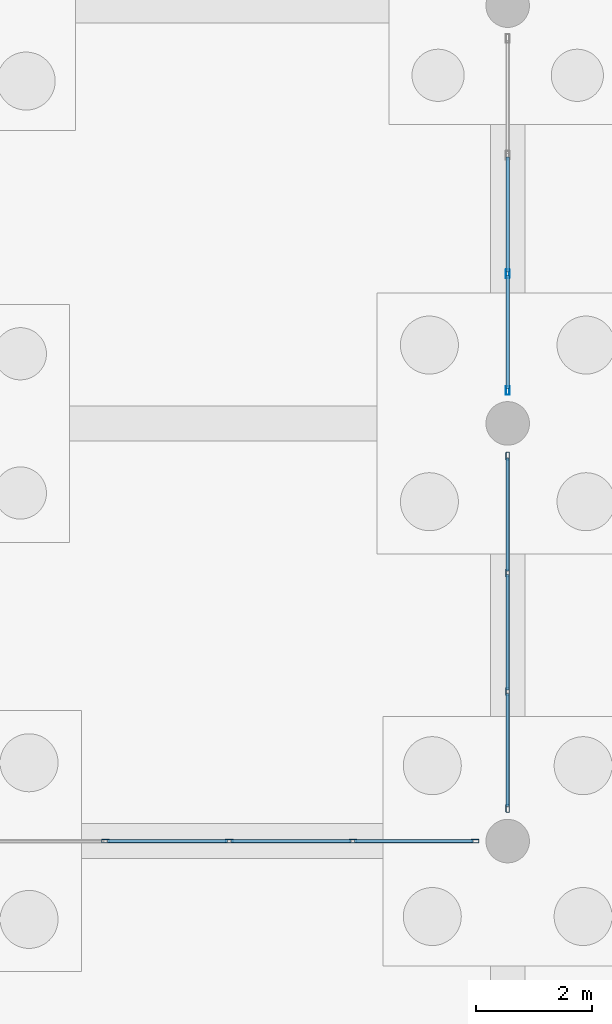
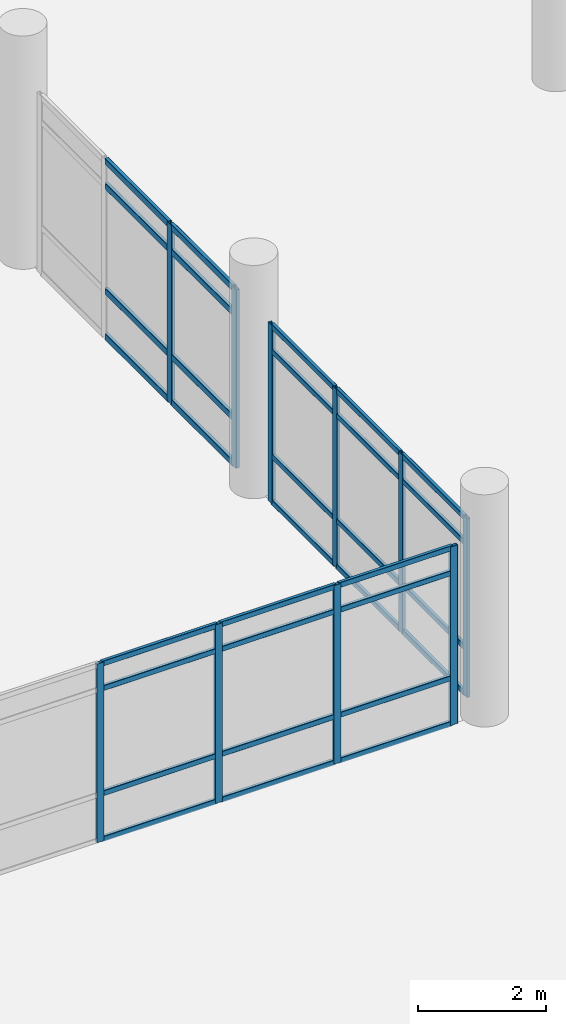
# One storey, part 126 of 196: 42 members, 3 elements without a shape of their own.
"""IFC4 building model written with IfcOpenShell, lengths in metres."""

from ifc_helpers import new_model, si_unit, direction, frame, origin, origin_2d, place, context, subcontext, project, spatial, hollow_rectangle, extrude, material, layer, layer_set, material_profile, profile_set, type_object, element, aggregate, save


model = new_model("IFC4")

# Units and contexts
model_context = context("Model", 3, precision=1e-05, world=origin(), true_north=direction((0.0, 1.0)))
body_context = subcontext(model_context, "Body", "Model", "MODEL_VIEW")
ifc_project = project(units=[si_unit("LENGTHUNIT", "METRE"), si_unit("AREAUNIT", "SQUARE_METRE"), si_unit("VOLUMEUNIT", "CUBIC_METRE"), si_unit("PLANEANGLEUNIT", "RADIAN"), si_unit("MASSUNIT", "GRAM", prefix="KILO")], contexts=[model_context])

# Site, building, storey
site_placement = place(None, origin())
site = spatial("IfcSite", under=ifc_project, at=site_placement, CompositionType="ELEMENT")
building_placement = place(site_placement, origin())
building = spatial("IfcBuilding", under=site, at=building_placement, Name="Asteropetra Specialist Clinic", CompositionType="ELEMENT")
storey_placement = place(building_placement, origin())
storey = spatial("IfcBuildingStorey", under=building, at=storey_placement, Name="L00", CompositionType="ELEMENT", Elevation=0.0)

# Curtain wall, members
ifc_material_1 = material(Name="Aluminium and low-E glass", Category="aluminium")
ifc_layer_1 = layer(ifc_material_1, 0.14990234375)
ifc_layer_set_1 = layer_set([ifc_layer_1], Name="Aluminium and low-E glass")
curtain_wall_type_1 = type_object("IfcCurtainWallType", Name="CW-SYS-08", PredefinedType="USERDEFINED", material=ifc_layer_set_1)
curtain_wall_1_placement = place(storey_placement, origin())
curtain_wall_1 = element("IfcCurtainWall", 1, at=curtain_wall_1_placement, inside=storey, type_object=curtain_wall_type_1, Name="Curtain Wall CW-065", ObjectType="STICK GLAZED COLONNADE", PredefinedType="USERDEFINED")
ifc_material_2 = material(Name="Aluminium 6063-T6", Category="aluminium")
ifc_material_profile_1 = material_profile(ifc_material_2, hollow_rectangle(XDim=0.06005859375, YDim=0.135009765625, WallThickness=0.00341796875, InnerFilletRadius=0.00341796875, OuterFilletRadius=0.007080078125, at=origin_2d()), Name="MUL 135x60x3.5")
ifc_profile_set_1 = profile_set([ifc_material_profile_1], Name="Aluminium 6063-T6")
member_type_1 = type_object("IfcMemberType", Name="CWM-135x60", PredefinedType="MULLION", material=ifc_profile_set_1)
member_1_placement = place(storey_placement, frame((127.467529296875, 19.199951171875, 0.0), z_axis=(0.0, 0.0, 1.0), x_axis=(0.0, 1.0, 0.0)))
member_1 = element("IfcMember", 2, at=member_1_placement, type_object=member_type_1, Name="CW-065 mullion 2", PredefinedType="MULLION", context=body_context, shape_type="SweptSolid", body=[
    extrude(hollow_rectangle(XDim=0.06005859375, YDim=0.135009765625, WallThickness=0.00341796875, InnerFilletRadius=0.00341796875, OuterFilletRadius=0.007080078125, at=origin_2d()), origin(), (0.0, 0.0, 1.0), 3.39990234375),
])
member_2_placement = place(storey_placement, frame((129.60009765625, 19.199951171875, 0.0), z_axis=(0.0, 0.0, 1.0), x_axis=(0.0, 1.0, 0.0)))
member_2 = element("IfcMember", 3, at=member_2_placement, type_object=member_type_1, Name="CW-065 mullion 3", PredefinedType="MULLION", context=body_context, shape_type="SweptSolid", body=[
    extrude(hollow_rectangle(XDim=0.06005859375, YDim=0.135009765625, WallThickness=0.00341796875, InnerFilletRadius=0.00341796875, OuterFilletRadius=0.007080078125, at=origin_2d()), origin(), (0.0, 0.0, 1.0), 3.39990234375),
])
member_3_placement = place(storey_placement, frame((131.732421875, 19.199951171875, 0.0), z_axis=(0.0, 0.0, 1.0), x_axis=(0.0, 1.0, 0.0)))
member_3 = element("IfcMember", 4, at=member_3_placement, type_object=member_type_1, Name="CW-065 mullion 4", PredefinedType="MULLION", context=body_context, shape_type="SweptSolid", body=[
    extrude(hollow_rectangle(XDim=0.06005859375, YDim=0.135009765625, WallThickness=0.00341796875, InnerFilletRadius=0.00341796875, OuterFilletRadius=0.007080078125, at=origin_2d()), origin(), (0.0, 0.0, 1.0), 3.39990234375),
])
member_4_placement = place(storey_placement, frame((133.8349609375, 19.199951171875, 0.0), z_axis=(0.0, 0.0, 1.0), x_axis=(0.0, 1.0, 0.0)))
member_4 = element("IfcMember", 5, at=member_4_placement, type_object=member_type_1, Name="CW-065 mullion 5", PredefinedType="MULLION", context=body_context, shape_type="SweptSolid", body=[
    extrude(hollow_rectangle(XDim=0.06005859375, YDim=0.135009765625, WallThickness=0.00341796875, InnerFilletRadius=0.00341796875, OuterFilletRadius=0.007080078125, at=origin_2d()), origin(), (0.0, 0.0, 1.0), 3.39990234375),
])

ifc_material_3 = material(Name="Aluminium and low-E glass", Category="aluminium")
ifc_layer_2 = layer(ifc_material_3, 0.14990234375)
ifc_layer_set_2 = layer_set([ifc_layer_2], Name="Aluminium and low-E glass")
curtain_wall_type_2 = type_object("IfcCurtainWallType", Name="CW-SYS-11", PredefinedType="USERDEFINED", material=ifc_layer_set_2)
curtain_wall_2_placement = place(storey_placement, origin())
curtain_wall_2 = element("IfcCurtainWall", 6, at=curtain_wall_2_placement, inside=storey, type_object=curtain_wall_type_2, Name="Curtain Wall CW-068", ObjectType="STICK GLAZED COLONNADE", PredefinedType="USERDEFINED")
member_5_placement = place(storey_placement, frame((134.39990234375, 19.764892578125, 0.0), z_axis=(0.0, 0.0, 1.0), x_axis=(-1.0, 0.0, 0.0)))
member_5 = element("IfcMember", 7, at=member_5_placement, type_object=member_type_1, Name="CW-068 mullion 1", PredefinedType="MULLION", context=body_context, shape_type="SweptSolid", body=[
    extrude(hollow_rectangle(XDim=0.06005859375, YDim=0.135009765625, WallThickness=0.00341796875, InnerFilletRadius=0.00341796875, OuterFilletRadius=0.007080078125, at=origin_2d()), origin(), (0.0, 0.0, 1.0), 3.39990234375),
])
member_6_placement = place(storey_placement, frame((134.39990234375, 21.7783203125, 0.0), z_axis=(0.0, 0.0, 1.0), x_axis=(-1.0, 0.0, 0.0)))
member_6 = element("IfcMember", 8, at=member_6_placement, type_object=member_type_1, Name="CW-068 mullion 2", PredefinedType="MULLION", context=body_context, shape_type="SweptSolid", body=[
    extrude(hollow_rectangle(XDim=0.06005859375, YDim=0.135009765625, WallThickness=0.00341796875, InnerFilletRadius=0.00341796875, OuterFilletRadius=0.007080078125, at=origin_2d()), origin(), (0.0, 0.0, 1.0), 3.39990234375),
])
member_7_placement = place(storey_placement, frame((134.39990234375, 23.82177734375, 0.0), z_axis=(0.0, 0.0, 1.0), x_axis=(-1.0, 0.0, 0.0)))
member_7 = element("IfcMember", 9, at=member_7_placement, type_object=member_type_1, Name="CW-068 mullion 3", PredefinedType="MULLION", context=body_context, shape_type="SweptSolid", body=[
    extrude(hollow_rectangle(XDim=0.06005859375, YDim=0.135009765625, WallThickness=0.00341796875, InnerFilletRadius=0.00341796875, OuterFilletRadius=0.007080078125, at=origin_2d()), origin(), (0.0, 0.0, 1.0), 3.39990234375),
])
member_8_placement = place(storey_placement, frame((134.39990234375, 25.8349609375, 0.0), z_axis=(0.0, 0.0, 1.0), x_axis=(-1.0, 0.0, 0.0)))
member_8 = element("IfcMember", 10, at=member_8_placement, type_object=member_type_1, Name="CW-068 mullion 4", PredefinedType="MULLION", context=body_context, shape_type="SweptSolid", body=[
    extrude(hollow_rectangle(XDim=0.06005859375, YDim=0.135009765625, WallThickness=0.00341796875, InnerFilletRadius=0.00341796875, OuterFilletRadius=0.007080078125, at=origin_2d()), origin(), (0.0, 0.0, 1.0), 3.39990234375),
])

ifc_material_4 = material(Name="Aluminium and low-E glass", Category="aluminium")
ifc_layer_3 = layer(ifc_material_4, 0.135009765625)
ifc_layer_set_3 = layer_set([ifc_layer_3], Name="Aluminium and low-E glass")
curtain_wall_type_3 = type_object("IfcCurtainWallType", Name="CW-SYS-12", PredefinedType="USERDEFINED", material=ifc_layer_set_3)
curtain_wall_3_placement = place(storey_placement, origin())
curtain_wall_3 = element("IfcCurtainWall", 11, at=curtain_wall_3_placement, inside=storey, type_object=curtain_wall_type_3, Name="Curtain Wall CW-070", ObjectType="STICK GLAZED COLONNADE", PredefinedType="USERDEFINED")
ifc_material_5 = material(Name="Aluminium 6063-T6", Category="aluminium")
ifc_material_profile_2 = material_profile(ifc_material_5, hollow_rectangle(XDim=0.06494140625, YDim=0.14990234375, WallThickness=0.00390625, InnerFilletRadius=0.00390625, OuterFilletRadius=0.008056640625, at=origin_2d()), Name="MUL 150x65x4.0")
ifc_profile_set_2 = profile_set([ifc_material_profile_2], Name="Aluminium 6063-T6")
member_type_2 = type_object("IfcMemberType", Name="CWM-150x65", PredefinedType="MULLION", material=ifc_profile_set_2)
member_9_placement = place(storey_placement, frame((134.39990234375, 26.967529296875, 0.0), z_axis=(0.0, 0.0, 1.0), x_axis=(-1.0, 0.0, 0.0)))
member_9 = element("IfcMember", 12, at=member_9_placement, type_object=member_type_2, Name="CW-070 mullion 1", PredefinedType="MULLION", context=body_context, shape_type="SweptSolid", body=[
    extrude(hollow_rectangle(XDim=0.06494140625, YDim=0.14990234375, WallThickness=0.00390625, InnerFilletRadius=0.00390625, OuterFilletRadius=0.008056640625, at=origin_2d()), origin(), (0.0, 0.0, 1.0), 3.39990234375),
])
member_10_placement = place(storey_placement, frame((134.39990234375, 28.978271484375, 0.0), z_axis=(0.0, 0.0, 1.0), x_axis=(-1.0, 0.0, 0.0)))
member_10 = element("IfcMember", 13, at=member_10_placement, type_object=member_type_2, Name="CW-070 mullion 2", PredefinedType="MULLION", context=body_context, shape_type="SweptSolid", body=[
    extrude(hollow_rectangle(XDim=0.06494140625, YDim=0.14990234375, WallThickness=0.00390625, InnerFilletRadius=0.00390625, OuterFilletRadius=0.008056640625, at=origin_2d()), origin(), (0.0, 0.0, 1.0), 3.39990234375),
])

# Member
ifc_material_6 = material(Name="Aluminium 6063-T6", Category="aluminium")
ifc_material_profile_3 = material_profile(ifc_material_6, hollow_rectangle(XDim=0.06005859375, YDim=0.10009765625, WallThickness=0.00341796875, InnerFilletRadius=0.00341796875, OuterFilletRadius=0.007080078125, at=origin_2d()), Name="TRN 100x60x3.5")
ifc_profile_set_3 = profile_set([ifc_material_profile_3], Name="Aluminium 6063-T6")
member_type_3 = type_object("IfcMemberType", Name="CWT-100x60", PredefinedType="USERDEFINED", material=ifc_profile_set_3)
member_11_placement = place(storey_placement, frame((127.49755859375, 19.199951171875, 0.030029296875), z_axis=(1.0, 0.0, 0.0), x_axis=(0.0, 1.0, 0.0)))
member_11 = element("IfcMember", 14, at=member_11_placement, type_object=member_type_3, Name="CW-065 transom 2.1", ObjectType="TRANSOM", PredefinedType="USERDEFINED", context=body_context, shape_type="SweptSolid", body=[
    extrude(hollow_rectangle(XDim=0.06005859375, YDim=0.10009765625, WallThickness=0.00341796875, InnerFilletRadius=0.00341796875, OuterFilletRadius=0.007080078125, at=origin_2d()), origin(), (0.0, 0.0, 1.0), 2.072509765625),
])

member_12_placement = place(storey_placement, frame((127.49755859375, 19.199951171875, 0.89990234375), z_axis=(1.0, 0.0, 0.0), x_axis=(0.0, 1.0, 0.0)))
member_12 = element("IfcMember", 15, at=member_12_placement, type_object=member_type_3, Name="CW-065 transom 2.2", ObjectType="TRANSOM", PredefinedType="USERDEFINED", context=body_context, shape_type="SweptSolid", body=[
    extrude(hollow_rectangle(XDim=0.06005859375, YDim=0.10009765625, WallThickness=0.00341796875, InnerFilletRadius=0.00341796875, OuterFilletRadius=0.007080078125, at=origin_2d()), origin(), (0.0, 0.0, 1.0), 2.072509765625),
])

member_13_placement = place(storey_placement, frame((127.49755859375, 19.199951171875, 2.89990234375), z_axis=(1.0, 0.0, 0.0), x_axis=(0.0, 1.0, 0.0)))
member_13 = element("IfcMember", 16, at=member_13_placement, type_object=member_type_3, Name="CW-065 transom 2.3", ObjectType="TRANSOM", PredefinedType="USERDEFINED", context=body_context, shape_type="SweptSolid", body=[
    extrude(hollow_rectangle(XDim=0.06005859375, YDim=0.10009765625, WallThickness=0.00341796875, InnerFilletRadius=0.00341796875, OuterFilletRadius=0.007080078125, at=origin_2d()), origin(), (0.0, 0.0, 1.0), 2.072509765625),
])

member_14_placement = place(storey_placement, frame((127.49755859375, 19.199951171875, 3.3701171875), z_axis=(1.0, 0.0, 0.0), x_axis=(0.0, 1.0, 0.0)))
member_14 = element("IfcMember", 17, at=member_14_placement, type_object=member_type_3, Name="CW-065 transom 2.4", ObjectType="TRANSOM", PredefinedType="USERDEFINED", context=body_context, shape_type="SweptSolid", body=[
    extrude(hollow_rectangle(XDim=0.06005859375, YDim=0.10009765625, WallThickness=0.00341796875, InnerFilletRadius=0.00341796875, OuterFilletRadius=0.007080078125, at=origin_2d()), origin(), (0.0, 0.0, 1.0), 2.072509765625),
])

member_15_placement = place(storey_placement, frame((129.6298828125, 19.199951171875, 0.030029296875), z_axis=(1.0, 0.0, 0.0), x_axis=(0.0, 1.0, 0.0)))
member_15 = element("IfcMember", 18, at=member_15_placement, type_object=member_type_3, Name="CW-065 transom 3.1", ObjectType="TRANSOM", PredefinedType="USERDEFINED", context=body_context, shape_type="SweptSolid", body=[
    extrude(hollow_rectangle(XDim=0.06005859375, YDim=0.10009765625, WallThickness=0.00341796875, InnerFilletRadius=0.00341796875, OuterFilletRadius=0.007080078125, at=origin_2d()), origin(), (0.0, 0.0, 1.0), 2.072509765625),
])

member_16_placement = place(storey_placement, frame((129.6298828125, 19.199951171875, 0.89990234375), z_axis=(1.0, 0.0, 0.0), x_axis=(0.0, 1.0, 0.0)))
member_16 = element("IfcMember", 19, at=member_16_placement, type_object=member_type_3, Name="CW-065 transom 3.2", ObjectType="TRANSOM", PredefinedType="USERDEFINED", context=body_context, shape_type="SweptSolid", body=[
    extrude(hollow_rectangle(XDim=0.06005859375, YDim=0.10009765625, WallThickness=0.00341796875, InnerFilletRadius=0.00341796875, OuterFilletRadius=0.007080078125, at=origin_2d()), origin(), (0.0, 0.0, 1.0), 2.072509765625),
])

member_17_placement = place(storey_placement, frame((129.6298828125, 19.199951171875, 2.89990234375), z_axis=(1.0, 0.0, 0.0), x_axis=(0.0, 1.0, 0.0)))
member_17 = element("IfcMember", 20, at=member_17_placement, type_object=member_type_3, Name="CW-065 transom 3.3", ObjectType="TRANSOM", PredefinedType="USERDEFINED", context=body_context, shape_type="SweptSolid", body=[
    extrude(hollow_rectangle(XDim=0.06005859375, YDim=0.10009765625, WallThickness=0.00341796875, InnerFilletRadius=0.00341796875, OuterFilletRadius=0.007080078125, at=origin_2d()), origin(), (0.0, 0.0, 1.0), 2.072509765625),
])

member_18_placement = place(storey_placement, frame((129.6298828125, 19.199951171875, 3.3701171875), z_axis=(1.0, 0.0, 0.0), x_axis=(0.0, 1.0, 0.0)))
member_18 = element("IfcMember", 21, at=member_18_placement, type_object=member_type_3, Name="CW-065 transom 3.4", ObjectType="TRANSOM", PredefinedType="USERDEFINED", context=body_context, shape_type="SweptSolid", body=[
    extrude(hollow_rectangle(XDim=0.06005859375, YDim=0.10009765625, WallThickness=0.00341796875, InnerFilletRadius=0.00341796875, OuterFilletRadius=0.007080078125, at=origin_2d()), origin(), (0.0, 0.0, 1.0), 2.072509765625),
])

member_19_placement = place(storey_placement, frame((131.762451171875, 19.199951171875, 0.030029296875), z_axis=(1.0, 0.0, 0.0), x_axis=(0.0, 1.0, 0.0)))
member_19 = element("IfcMember", 22, at=member_19_placement, type_object=member_type_3, Name="CW-065 transom 4.1", ObjectType="TRANSOM", PredefinedType="USERDEFINED", context=body_context, shape_type="SweptSolid", body=[
    extrude(hollow_rectangle(XDim=0.06005859375, YDim=0.10009765625, WallThickness=0.00341796875, InnerFilletRadius=0.00341796875, OuterFilletRadius=0.007080078125, at=origin_2d()), origin(), (0.0, 0.0, 1.0), 2.04248046875),
])

member_20_placement = place(storey_placement, frame((131.762451171875, 19.199951171875, 0.89990234375), z_axis=(1.0, 0.0, 0.0), x_axis=(0.0, 1.0, 0.0)))
member_20 = element("IfcMember", 23, at=member_20_placement, type_object=member_type_3, Name="CW-065 transom 4.2", ObjectType="TRANSOM", PredefinedType="USERDEFINED", context=body_context, shape_type="SweptSolid", body=[
    extrude(hollow_rectangle(XDim=0.06005859375, YDim=0.10009765625, WallThickness=0.00341796875, InnerFilletRadius=0.00341796875, OuterFilletRadius=0.007080078125, at=origin_2d()), origin(), (0.0, 0.0, 1.0), 2.04248046875),
])

member_21_placement = place(storey_placement, frame((131.762451171875, 19.199951171875, 2.89990234375), z_axis=(1.0, 0.0, 0.0), x_axis=(0.0, 1.0, 0.0)))
member_21 = element("IfcMember", 24, at=member_21_placement, type_object=member_type_3, Name="CW-065 transom 4.3", ObjectType="TRANSOM", PredefinedType="USERDEFINED", context=body_context, shape_type="SweptSolid", body=[
    extrude(hollow_rectangle(XDim=0.06005859375, YDim=0.10009765625, WallThickness=0.00341796875, InnerFilletRadius=0.00341796875, OuterFilletRadius=0.007080078125, at=origin_2d()), origin(), (0.0, 0.0, 1.0), 2.04248046875),
])

member_22_placement = place(storey_placement, frame((131.762451171875, 19.199951171875, 3.3701171875), z_axis=(1.0, 0.0, 0.0), x_axis=(0.0, 1.0, 0.0)))
member_22 = element("IfcMember", 25, at=member_22_placement, type_object=member_type_3, Name="CW-065 transom 4.4", ObjectType="TRANSOM", PredefinedType="USERDEFINED", context=body_context, shape_type="SweptSolid", body=[
    extrude(hollow_rectangle(XDim=0.06005859375, YDim=0.10009765625, WallThickness=0.00341796875, InnerFilletRadius=0.00341796875, OuterFilletRadius=0.007080078125, at=origin_2d()), origin(), (0.0, 0.0, 1.0), 2.04248046875),
])

aggregate(curtain_wall_1, [member_1, member_2, member_3, member_4, member_11, member_12, member_13, member_14, member_15, member_16, member_17, member_18, member_19, member_20, member_21, member_22])

member_23_placement = place(storey_placement, frame((134.39990234375, 19.794921875, 0.030029296875), z_axis=(0.0, 1.0, 0.0), x_axis=(-1.0, 0.0, 0.0)))
member_23 = element("IfcMember", 26, at=member_23_placement, type_object=member_type_3, Name="CW-068 transom 1.1", ObjectType="TRANSOM", PredefinedType="USERDEFINED", context=body_context, shape_type="SweptSolid", body=[
    extrude(hollow_rectangle(XDim=0.06005859375, YDim=0.10009765625, WallThickness=0.00341796875, InnerFilletRadius=0.00341796875, OuterFilletRadius=0.007080078125, at=origin_2d()), origin(), (0.0, 0.0, 1.0), 1.953369140625),
])

member_24_placement = place(storey_placement, frame((134.39990234375, 19.794921875, 0.89990234375), z_axis=(0.0, 1.0, 0.0), x_axis=(-1.0, 0.0, 0.0)))
member_24 = element("IfcMember", 27, at=member_24_placement, type_object=member_type_3, Name="CW-068 transom 1.2", ObjectType="TRANSOM", PredefinedType="USERDEFINED", context=body_context, shape_type="SweptSolid", body=[
    extrude(hollow_rectangle(XDim=0.06005859375, YDim=0.10009765625, WallThickness=0.00341796875, InnerFilletRadius=0.00341796875, OuterFilletRadius=0.007080078125, at=origin_2d()), origin(), (0.0, 0.0, 1.0), 1.953369140625),
])

member_25_placement = place(storey_placement, frame((134.39990234375, 19.794921875, 2.89990234375), z_axis=(0.0, 1.0, 0.0), x_axis=(-1.0, 0.0, 0.0)))
member_25 = element("IfcMember", 28, at=member_25_placement, type_object=member_type_3, Name="CW-068 transom 1.3", ObjectType="TRANSOM", PredefinedType="USERDEFINED", context=body_context, shape_type="SweptSolid", body=[
    extrude(hollow_rectangle(XDim=0.06005859375, YDim=0.10009765625, WallThickness=0.00341796875, InnerFilletRadius=0.00341796875, OuterFilletRadius=0.007080078125, at=origin_2d()), origin(), (0.0, 0.0, 1.0), 1.953369140625),
])

member_26_placement = place(storey_placement, frame((134.39990234375, 19.794921875, 3.3701171875), z_axis=(0.0, 1.0, 0.0), x_axis=(-1.0, 0.0, 0.0)))
member_26 = element("IfcMember", 29, at=member_26_placement, type_object=member_type_3, Name="CW-068 transom 1.4", ObjectType="TRANSOM", PredefinedType="USERDEFINED", context=body_context, shape_type="SweptSolid", body=[
    extrude(hollow_rectangle(XDim=0.06005859375, YDim=0.10009765625, WallThickness=0.00341796875, InnerFilletRadius=0.00341796875, OuterFilletRadius=0.007080078125, at=origin_2d()), origin(), (0.0, 0.0, 1.0), 1.953369140625),
])

member_27_placement = place(storey_placement, frame((134.39990234375, 21.808349609375, 0.030029296875), z_axis=(0.0, 1.0, 0.0), x_axis=(-1.0, 0.0, 0.0)))
member_27 = element("IfcMember", 30, at=member_27_placement, type_object=member_type_3, Name="CW-068 transom 2.1", ObjectType="TRANSOM", PredefinedType="USERDEFINED", context=body_context, shape_type="SweptSolid", body=[
    extrude(hollow_rectangle(XDim=0.06005859375, YDim=0.10009765625, WallThickness=0.00341796875, InnerFilletRadius=0.00341796875, OuterFilletRadius=0.007080078125, at=origin_2d()), origin(), (0.0, 0.0, 1.0), 1.9833984375),
])

member_28_placement = place(storey_placement, frame((134.39990234375, 21.808349609375, 0.89990234375), z_axis=(0.0, 1.0, 0.0), x_axis=(-1.0, 0.0, 0.0)))
member_28 = element("IfcMember", 31, at=member_28_placement, type_object=member_type_3, Name="CW-068 transom 2.2", ObjectType="TRANSOM", PredefinedType="USERDEFINED", context=body_context, shape_type="SweptSolid", body=[
    extrude(hollow_rectangle(XDim=0.06005859375, YDim=0.10009765625, WallThickness=0.00341796875, InnerFilletRadius=0.00341796875, OuterFilletRadius=0.007080078125, at=origin_2d()), origin(), (0.0, 0.0, 1.0), 1.9833984375),
])

member_29_placement = place(storey_placement, frame((134.39990234375, 21.808349609375, 2.89990234375), z_axis=(0.0, 1.0, 0.0), x_axis=(-1.0, 0.0, 0.0)))
member_29 = element("IfcMember", 32, at=member_29_placement, type_object=member_type_3, Name="CW-068 transom 2.3", ObjectType="TRANSOM", PredefinedType="USERDEFINED", context=body_context, shape_type="SweptSolid", body=[
    extrude(hollow_rectangle(XDim=0.06005859375, YDim=0.10009765625, WallThickness=0.00341796875, InnerFilletRadius=0.00341796875, OuterFilletRadius=0.007080078125, at=origin_2d()), origin(), (0.0, 0.0, 1.0), 1.9833984375),
])

member_30_placement = place(storey_placement, frame((134.39990234375, 21.808349609375, 3.3701171875), z_axis=(0.0, 1.0, 0.0), x_axis=(-1.0, 0.0, 0.0)))
member_30 = element("IfcMember", 33, at=member_30_placement, type_object=member_type_3, Name="CW-068 transom 2.4", ObjectType="TRANSOM", PredefinedType="USERDEFINED", context=body_context, shape_type="SweptSolid", body=[
    extrude(hollow_rectangle(XDim=0.06005859375, YDim=0.10009765625, WallThickness=0.00341796875, InnerFilletRadius=0.00341796875, OuterFilletRadius=0.007080078125, at=origin_2d()), origin(), (0.0, 0.0, 1.0), 1.9833984375),
])

member_31_placement = place(storey_placement, frame((134.39990234375, 23.8515625, 0.030029296875), z_axis=(0.0, 1.0, 0.0), x_axis=(-1.0, 0.0, 0.0)))
member_31 = element("IfcMember", 34, at=member_31_placement, type_object=member_type_3, Name="CW-068 transom 3.1", ObjectType="TRANSOM", PredefinedType="USERDEFINED", context=body_context, shape_type="SweptSolid", body=[
    extrude(hollow_rectangle(XDim=0.06005859375, YDim=0.10009765625, WallThickness=0.00341796875, InnerFilletRadius=0.00341796875, OuterFilletRadius=0.007080078125, at=origin_2d()), origin(), (0.0, 0.0, 1.0), 1.953369140625),
])

member_32_placement = place(storey_placement, frame((134.39990234375, 23.8515625, 0.89990234375), z_axis=(0.0, 1.0, 0.0), x_axis=(-1.0, 0.0, 0.0)))
member_32 = element("IfcMember", 35, at=member_32_placement, type_object=member_type_3, Name="CW-068 transom 3.2", ObjectType="TRANSOM", PredefinedType="USERDEFINED", context=body_context, shape_type="SweptSolid", body=[
    extrude(hollow_rectangle(XDim=0.06005859375, YDim=0.10009765625, WallThickness=0.00341796875, InnerFilletRadius=0.00341796875, OuterFilletRadius=0.007080078125, at=origin_2d()), origin(), (0.0, 0.0, 1.0), 1.953369140625),
])

member_33_placement = place(storey_placement, frame((134.39990234375, 23.8515625, 2.89990234375), z_axis=(0.0, 1.0, 0.0), x_axis=(-1.0, 0.0, 0.0)))
member_33 = element("IfcMember", 36, at=member_33_placement, type_object=member_type_3, Name="CW-068 transom 3.3", ObjectType="TRANSOM", PredefinedType="USERDEFINED", context=body_context, shape_type="SweptSolid", body=[
    extrude(hollow_rectangle(XDim=0.06005859375, YDim=0.10009765625, WallThickness=0.00341796875, InnerFilletRadius=0.00341796875, OuterFilletRadius=0.007080078125, at=origin_2d()), origin(), (0.0, 0.0, 1.0), 1.953369140625),
])

member_34_placement = place(storey_placement, frame((134.39990234375, 23.8515625, 3.3701171875), z_axis=(0.0, 1.0, 0.0), x_axis=(-1.0, 0.0, 0.0)))
member_34 = element("IfcMember", 37, at=member_34_placement, type_object=member_type_3, Name="CW-068 transom 3.4", ObjectType="TRANSOM", PredefinedType="USERDEFINED", context=body_context, shape_type="SweptSolid", body=[
    extrude(hollow_rectangle(XDim=0.06005859375, YDim=0.10009765625, WallThickness=0.00341796875, InnerFilletRadius=0.00341796875, OuterFilletRadius=0.007080078125, at=origin_2d()), origin(), (0.0, 0.0, 1.0), 1.953369140625),
])

aggregate(curtain_wall_2, [member_5, member_6, member_7, member_8, member_23, member_24, member_25, member_26, member_27, member_28, member_29, member_30, member_31, member_32, member_33, member_34])

ifc_material_7 = material(Name="Aluminium 6063-T6", Category="aluminium")
ifc_material_profile_4 = material_profile(ifc_material_7, hollow_rectangle(XDim=0.06494140625, YDim=0.1201171875, WallThickness=0.00390625, InnerFilletRadius=0.00390625, OuterFilletRadius=0.008056640625, at=origin_2d()), Name="TRN 120x65x4.0")
ifc_profile_set_4 = profile_set([ifc_material_profile_4], Name="Aluminium 6063-T6")
member_type_4 = type_object("IfcMemberType", Name="CWT-120x65", PredefinedType="USERDEFINED", material=ifc_profile_set_4)
member_35_placement = place(storey_placement, frame((134.39990234375, 27.0, 0.032470703125), z_axis=(0.0, 1.0, 0.0), x_axis=(-1.0, 0.0, 0.0)))
member_35 = element("IfcMember", 38, at=member_35_placement, type_object=member_type_4, Name="CW-070 transom 1.1", ObjectType="TRANSOM", PredefinedType="USERDEFINED", context=body_context, shape_type="SweptSolid", body=[
    extrude(hollow_rectangle(XDim=0.06494140625, YDim=0.1201171875, WallThickness=0.00390625, InnerFilletRadius=0.00390625, OuterFilletRadius=0.008056640625, at=origin_2d()), origin(), (0.0, 0.0, 1.0), 1.94580078125),
])

member_36_placement = place(storey_placement, frame((134.39990234375, 27.0, 0.89990234375), z_axis=(0.0, 1.0, 0.0), x_axis=(-1.0, 0.0, 0.0)))
member_36 = element("IfcMember", 39, at=member_36_placement, type_object=member_type_4, Name="CW-070 transom 1.2", ObjectType="TRANSOM", PredefinedType="USERDEFINED", context=body_context, shape_type="SweptSolid", body=[
    extrude(hollow_rectangle(XDim=0.06494140625, YDim=0.1201171875, WallThickness=0.00390625, InnerFilletRadius=0.00390625, OuterFilletRadius=0.008056640625, at=origin_2d()), origin(), (0.0, 0.0, 1.0), 1.94580078125),
])

member_37_placement = place(storey_placement, frame((134.39990234375, 27.0, 2.89990234375), z_axis=(0.0, 1.0, 0.0), x_axis=(-1.0, 0.0, 0.0)))
member_37 = element("IfcMember", 40, at=member_37_placement, type_object=member_type_4, Name="CW-070 transom 1.3", ObjectType="TRANSOM", PredefinedType="USERDEFINED", context=body_context, shape_type="SweptSolid", body=[
    extrude(hollow_rectangle(XDim=0.06494140625, YDim=0.1201171875, WallThickness=0.00390625, InnerFilletRadius=0.00390625, OuterFilletRadius=0.008056640625, at=origin_2d()), origin(), (0.0, 0.0, 1.0), 1.94580078125),
])

member_38_placement = place(storey_placement, frame((134.39990234375, 27.0, 3.367431640625), z_axis=(0.0, 1.0, 0.0), x_axis=(-1.0, 0.0, 0.0)))
member_38 = element("IfcMember", 41, at=member_38_placement, type_object=member_type_4, Name="CW-070 transom 1.4", ObjectType="TRANSOM", PredefinedType="USERDEFINED", context=body_context, shape_type="SweptSolid", body=[
    extrude(hollow_rectangle(XDim=0.06494140625, YDim=0.1201171875, WallThickness=0.00390625, InnerFilletRadius=0.00390625, OuterFilletRadius=0.008056640625, at=origin_2d()), origin(), (0.0, 0.0, 1.0), 1.94580078125),
])

member_39_placement = place(storey_placement, frame((134.39990234375, 29.0107421875, 0.032470703125), z_axis=(0.0, 1.0, 0.0), x_axis=(-1.0, 0.0, 0.0)))
member_39 = element("IfcMember", 42, at=member_39_placement, type_object=member_type_4, Name="CW-070 transom 2.1", ObjectType="TRANSOM", PredefinedType="USERDEFINED", context=body_context, shape_type="SweptSolid", body=[
    extrude(hollow_rectangle(XDim=0.06494140625, YDim=0.1201171875, WallThickness=0.00390625, InnerFilletRadius=0.00390625, OuterFilletRadius=0.008056640625, at=origin_2d()), origin(), (0.0, 0.0, 1.0), 1.978515625),
])

member_40_placement = place(storey_placement, frame((134.39990234375, 29.0107421875, 0.89990234375), z_axis=(0.0, 1.0, 0.0), x_axis=(-1.0, 0.0, 0.0)))
member_40 = element("IfcMember", 43, at=member_40_placement, type_object=member_type_4, Name="CW-070 transom 2.2", ObjectType="TRANSOM", PredefinedType="USERDEFINED", context=body_context, shape_type="SweptSolid", body=[
    extrude(hollow_rectangle(XDim=0.06494140625, YDim=0.1201171875, WallThickness=0.00390625, InnerFilletRadius=0.00390625, OuterFilletRadius=0.008056640625, at=origin_2d()), origin(), (0.0, 0.0, 1.0), 1.978515625),
])

member_41_placement = place(storey_placement, frame((134.39990234375, 29.0107421875, 2.89990234375), z_axis=(0.0, 1.0, 0.0), x_axis=(-1.0, 0.0, 0.0)))
member_41 = element("IfcMember", 44, at=member_41_placement, type_object=member_type_4, Name="CW-070 transom 2.3", ObjectType="TRANSOM", PredefinedType="USERDEFINED", context=body_context, shape_type="SweptSolid", body=[
    extrude(hollow_rectangle(XDim=0.06494140625, YDim=0.1201171875, WallThickness=0.00390625, InnerFilletRadius=0.00390625, OuterFilletRadius=0.008056640625, at=origin_2d()), origin(), (0.0, 0.0, 1.0), 1.978515625),
])

member_42_placement = place(storey_placement, frame((134.39990234375, 29.0107421875, 3.367431640625), z_axis=(0.0, 1.0, 0.0), x_axis=(-1.0, 0.0, 0.0)))
member_42 = element("IfcMember", 45, at=member_42_placement, type_object=member_type_4, Name="CW-070 transom 2.4", ObjectType="TRANSOM", PredefinedType="USERDEFINED", context=body_context, shape_type="SweptSolid", body=[
    extrude(hollow_rectangle(XDim=0.06494140625, YDim=0.1201171875, WallThickness=0.00390625, InnerFilletRadius=0.00390625, OuterFilletRadius=0.008056640625, at=origin_2d()), origin(), (0.0, 0.0, 1.0), 1.978515625),
])

aggregate(curtain_wall_3, [member_9, member_10, member_35, member_36, member_37, member_38, member_39, member_40, member_41, member_42])

save(model, "model.ifc")
